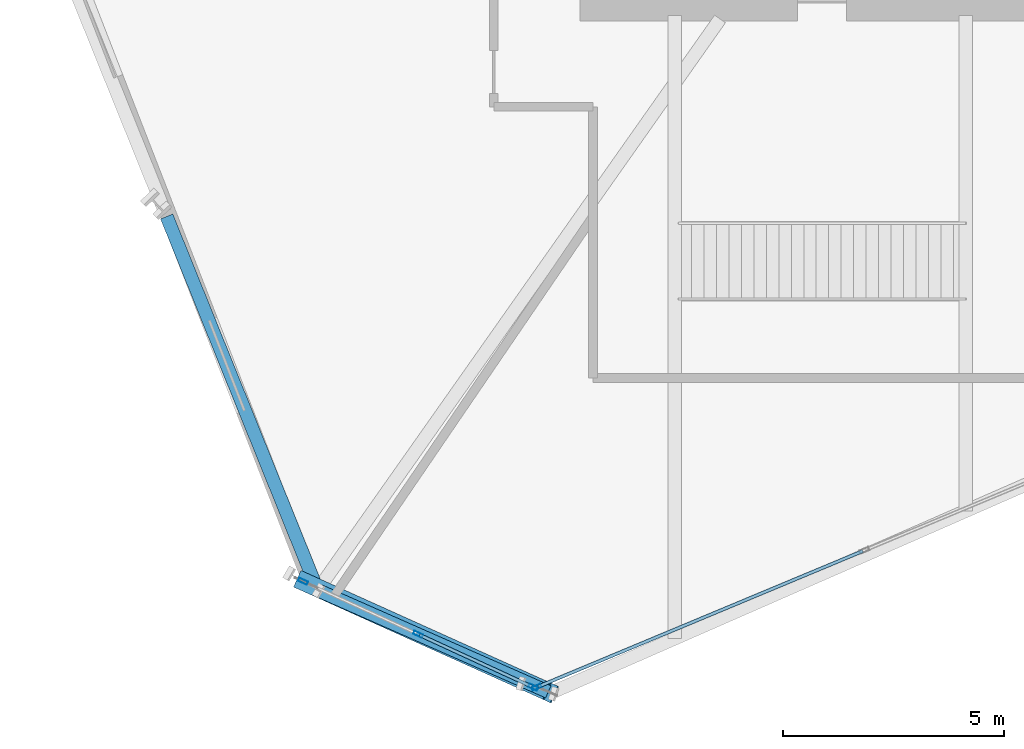
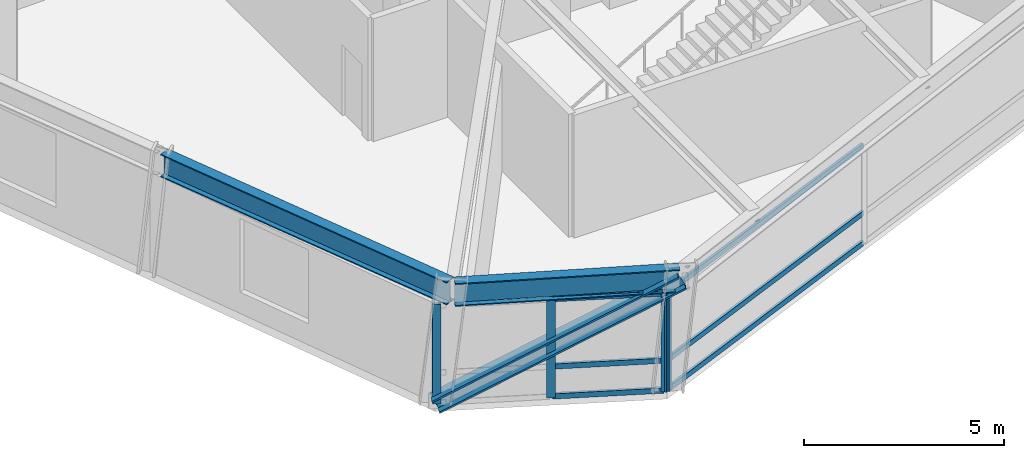
# One storey, part 2 of 19: 11 members, 2 beams, 2 elements without a shape of their own.
"""IFC4 building model written with IfcOpenShell, lengths in metres."""

from ifc_helpers import new_model, si_unit, direction, frame, origin, origin_2d, place, context, subcontext, project, spatial, hollow_rectangle, i_section, extrude, source, transform, mapped, material, material_profile, profile_set, type_object, element, aggregate, save


model = new_model("IFC4")

# Units and contexts
model_context = context("Model", 3, precision=1e-05, world=origin(), true_north=direction((0.0, 1.0)))
body_context = subcontext(model_context, "Body", "Model", "MODEL_VIEW")
ifc_project = project(units=[si_unit("LENGTHUNIT", "METRE"), si_unit("AREAUNIT", "SQUARE_METRE"), si_unit("VOLUMEUNIT", "CUBIC_METRE"), si_unit("PLANEANGLEUNIT", "RADIAN"), si_unit("MASSUNIT", "GRAM", prefix="KILO")], contexts=[model_context])

# Site, building, storey
site_placement = place(None, origin())
site = spatial("IfcSite", under=ifc_project, at=site_placement, CompositionType="ELEMENT")
building_placement = place(site_placement, origin())
building = spatial("IfcBuilding", under=site, at=building_placement, Name="Olszyna Solenne Hotel", CompositionType="ELEMENT")
storey_placement = place(building_placement, frame((0.0, 0.0, 71.89990234375)))
storey = spatial("IfcBuildingStorey", under=building, at=storey_placement, Name="L18", CompositionType="ELEMENT", Elevation=71.89990234375)

# Beams
ifc_material_1 = material(Name="Steel S355J2", Category="steel")
ifc_material_profile_1 = material_profile(ifc_material_1, i_section(OverallWidth=0.300048828125, OverallDepth=0.699951171875, WebThickness=0.01708984375, FlangeThickness=0.031982421875, at=origin_2d()), Name="HEB 700", Category="load-bearing")
ifc_profile_set_1 = profile_set([ifc_material_profile_1], Name="Steel S355J2")
beam_type = type_object("IfcBeamType", Name="BM-S1", PredefinedType="BEAM", material=ifc_profile_set_1)
shared_shape_1 = source(origin(), body_context, "Body", "SweptSolid", [
    extrude(i_section(OverallWidth=0.300048828125, OverallDepth=0.699951171875, WebThickness=0.01708984375, FlangeThickness=0.031982421875, at=origin_2d()), origin(), (0.0, 0.0, 1.0), 9.075439453125),
])
beam_1_placement = place(storey_placement, frame((19.8857421875, 14.213623046875, 3.400146484375), z_axis=(0.374523985821, -0.927217225921, 0.0), x_axis=(0.927217225921, 0.374523985821, 0.0)))
element("IfcBeam", 1, at=beam_1_placement, inside=storey, type_object=beam_type, Name="Perimeter spandrel beam BM-S1 B-L18-0557", PredefinedType="BEAM", context=body_context, shape_type="MappedRepresentation", body=[
    mapped(shared_shape_1, transform((0.0, 0.0, 0.0), x_axis=(1.0, 0.0, 0.0), y_axis=(0.0, 1.0, 0.0), z_axis=(0.0, 0.0, 1.0), scale=1.0)),
])
shared_shape_2 = source(origin(), body_context, "Body", "SweptSolid", [
    extrude(i_section(OverallWidth=0.300048828125, OverallDepth=0.699951171875, WebThickness=0.01708984375, FlangeThickness=0.031982421875, at=origin_2d()), origin(), (0.0, 0.0, 1.0), 5.654052734375),
])
beam_2_placement = place(storey_placement, frame((23.362060546875, 5.718994140625, 3.400146484375), z_axis=(0.914974073012, -0.403512633898, 0.0), x_axis=(0.403512633898, 0.914974073012, 0.0)))
element("IfcBeam", 2, at=beam_2_placement, inside=storey, type_object=beam_type, Name="Perimeter spandrel beam BM-S1 B-L18-0558", PredefinedType="BEAM", context=body_context, shape_type="MappedRepresentation", body=[
    mapped(shared_shape_2, transform((0.0, 0.0, 0.0), x_axis=(1.0, 0.0, 0.0), y_axis=(0.0, 1.0, 0.0), z_axis=(0.0, 0.0, 1.0), scale=1.0)),
])

# Member
ifc_material_2 = material(Name="Steel S460M", Category="steel")
ifc_material_profile_2 = material_profile(ifc_material_2, i_section(OverallWidth=0.412109375, OverallDepth=0.43505859375, WebThickness=0.031494140625, FlangeThickness=0.050048828125, at=origin_2d()), Name="HD 400x463", Category="load-bearing")
ifc_profile_set_2 = profile_set([ifc_material_profile_2], Name="Steel S460M")
member_type_1 = type_object("IfcMemberType", Name="BR-T1", PredefinedType="BRACE", material=ifc_profile_set_2)
shared_shape_3 = source(origin(), body_context, "Body", "SweptSolid", [
    extrude(i_section(OverallWidth=0.412109375, OverallDepth=0.43505859375, WebThickness=0.031494140625, FlangeThickness=0.050048828125, at=origin_2d()), origin(), (0.0, 0.0, 1.0), 7.0478515625),
])
member_1_placement = place(storey_placement, frame((22.939453125, 5.959228515625, 0.010009765625), z_axis=(0.801795866368, -0.361268862453, 0.476033819909), x_axis=(0.41080029747, 0.911725350968, 0.0)))
element("IfcMember", 3, at=member_1_placement, inside=storey, type_object=member_type_1, Name="Perimeter braced-tube diagonal BR-T1 BR-L18-3", PredefinedType="BRACE", context=body_context, shape_type="MappedRepresentation", body=[
    mapped(shared_shape_3, transform((0.0, 0.0, 0.0), x_axis=(1.0, 0.0, 0.0), y_axis=(0.0, 1.0, 0.0), z_axis=(0.0, 0.0, 1.0), scale=1.0)),
])

# Curtain wall, member
ifc_material_3 = material(Name="Anodised bronze aluminium", Category="aluminium")
curtain_wall_type = type_object("IfcCurtainWallType", Name="CW-SYS-6", PredefinedType="NOTDEFINED", material=ifc_material_3)
curtain_wall_1_placement = place(storey_placement, origin())
curtain_wall_1 = element("IfcCurtainWall", 4, at=curtain_wall_1_placement, inside=storey, type_object=curtain_wall_type, Name="Unitised curtain wall CW-SYS-6 CW-L18-01", PredefinedType="NOTDEFINED")
ifc_material_profile_3 = material_profile(ifc_material_3, hollow_rectangle(XDim=0.080078125, YDim=0.219970703125, WallThickness=0.0048828125, at=origin_2d()), Name="MULL 220x80x5", Category="load-bearing")
ifc_profile_set_3 = profile_set([ifc_material_profile_3], Name="Anodised bronze aluminium")
member_type_2 = type_object("IfcMemberType", Name="CW-M1", PredefinedType="MULLION", material=ifc_profile_set_3)
shared_shape_4 = source(origin(), body_context, "Body", "SweptSolid", [
    extrude(hollow_rectangle(XDim=0.080078125, YDim=0.219970703125, WallThickness=0.0048828125, at=origin_2d()), origin(), (0.0, 0.0, 1.0), 3.0419921875),
])
member_2_placement = place(storey_placement, frame((28.268798828125, 3.54052734375, 0.0), z_axis=(0.0, 0.0, 1.0), x_axis=(-0.385295684368, 0.922793170547, 0.0)))
member_2 = element("IfcMember", 5, at=member_2_placement, type_object=member_type_2, Name="Curtain-wall mullion CW-M1 CM-L18-01-01", PredefinedType="MULLION", context=body_context, shape_type="MappedRepresentation", body=[
    mapped(shared_shape_4, transform((0.0, 0.0, 0.0), x_axis=(1.0, 0.0, 0.0), y_axis=(0.0, 1.0, 0.0), z_axis=(0.0, 0.0, 1.0), scale=1.0)),
])

# Curtain wall, members
curtain_wall_2_placement = place(storey_placement, origin())
curtain_wall_2 = element("IfcCurtainWall", 6, at=curtain_wall_2_placement, inside=storey, type_object=curtain_wall_type, Name="Unitised curtain wall CW-SYS-6 CW-L18-02", PredefinedType="NOTDEFINED")
member_3_placement = place(storey_placement, frame((22.975830078125, 5.942626953125, 0.0), z_axis=(0.0, 0.0, 1.0), x_axis=(0.417848367039, 0.908516781443, 0.0)))
member_3 = element("IfcMember", 7, at=member_3_placement, type_object=member_type_2, Name="Curtain-wall mullion CW-M1 CM-L18-02-01", PredefinedType="MULLION", context=body_context, shape_type="MappedRepresentation", body=[
    mapped(shared_shape_4, transform((0.0, 0.0, 0.0), x_axis=(1.0, 0.0, 0.0), y_axis=(0.0, 1.0, 0.0), z_axis=(0.0, 0.0, 1.0), scale=1.0)),
])
member_4_placement = place(storey_placement, frame((25.585693359375, 4.7421875, 0.0), z_axis=(0.0, 0.0, 1.0), x_axis=(0.417848367039, 0.908516781443, 0.0)))
member_4 = element("IfcMember", 8, at=member_4_placement, type_object=member_type_2, Name="Curtain-wall mullion CW-M1 CM-L18-02-02", PredefinedType="MULLION", context=body_context, shape_type="MappedRepresentation", body=[
    mapped(shared_shape_4, transform((0.0, 0.0, 0.0), x_axis=(1.0, 0.0, 0.0), y_axis=(0.0, 1.0, 0.0), z_axis=(0.0, 0.0, 1.0), scale=1.0)),
])
member_5_placement = place(storey_placement, frame((28.195556640625, 3.5419921875, 0.0), z_axis=(0.0, 0.0, 1.0), x_axis=(0.417848367039, 0.908516781443, 0.0)))
member_5 = element("IfcMember", 9, at=member_5_placement, type_object=member_type_2, Name="Curtain-wall mullion CW-M1 CM-L18-02-03", PredefinedType="MULLION", context=body_context, shape_type="MappedRepresentation", body=[
    mapped(shared_shape_4, transform((0.0, 0.0, 0.0), x_axis=(1.0, 0.0, 0.0), y_axis=(0.0, 1.0, 0.0), z_axis=(0.0, 0.0, 1.0), scale=1.0)),
])

# Member
ifc_material_profile_4 = material_profile(ifc_material_3, hollow_rectangle(XDim=0.074951171875, YDim=0.159912109375, WallThickness=0.00390625, at=origin_2d()), Name="TRAN 160x75x4", Category="load-bearing")
ifc_profile_set_4 = profile_set([ifc_material_profile_4], Name="Anodised bronze aluminium")
member_type_3 = type_object("IfcMemberType", Name="CW-T1", PredefinedType="USERDEFINED", material=ifc_profile_set_4)
shared_shape_5 = source(origin(), body_context, "Body", "SweptSolid", [
    extrude(hollow_rectangle(XDim=0.074951171875, YDim=0.159912109375, WallThickness=0.00390625, at=origin_2d()), origin(), (0.0, 0.0, 1.0), 7.974609375),
])
member_6_placement = place(storey_placement, frame((28.3056640625, 3.555908203125, 0.03759765625), z_axis=(0.922785003887, 0.385315243147, 0.0), x_axis=(-0.385315243147, 0.922785003887, 0.0)))
member_6 = element("IfcMember", 10, at=member_6_placement, type_object=member_type_3, Name="Curtain-wall transom CW-T1 CT-L18-01-01", ObjectType="TRANSOM", PredefinedType="USERDEFINED", context=body_context, shape_type="MappedRepresentation", body=[
    mapped(shared_shape_5, transform((0.0, 0.0, 0.0), x_axis=(1.0, 0.0, 0.0), y_axis=(0.0, 1.0, 0.0), z_axis=(0.0, 0.0, 1.0), scale=1.0)),
])

member_7_placement = place(storey_placement, frame((28.3056640625, 3.555908203125, 0.9501953125), z_axis=(0.922785003887, 0.385315243147, 0.0), x_axis=(-0.385315243147, 0.922785003887, 0.0)))
member_7 = element("IfcMember", 11, at=member_7_placement, type_object=member_type_3, Name="Curtain-wall transom CW-T1 CT-L18-01-02", ObjectType="TRANSOM", PredefinedType="USERDEFINED", context=body_context, shape_type="MappedRepresentation", body=[
    mapped(shared_shape_5, transform((0.0, 0.0, 0.0), x_axis=(1.0, 0.0, 0.0), y_axis=(0.0, 1.0, 0.0), z_axis=(0.0, 0.0, 1.0), scale=1.0)),
])

member_8_placement = place(storey_placement, frame((28.3056640625, 3.555908203125, 3.004638671875), z_axis=(0.922785003887, 0.385315243147, 0.0), x_axis=(-0.385315243147, 0.922785003887, 0.0)))
member_8 = element("IfcMember", 12, at=member_8_placement, type_object=member_type_3, Name="Curtain-wall transom CW-T1 CT-L18-01-03", ObjectType="TRANSOM", PredefinedType="USERDEFINED", context=body_context, shape_type="MappedRepresentation", body=[
    mapped(shared_shape_5, transform((0.0, 0.0, 0.0), x_axis=(1.0, 0.0, 0.0), y_axis=(0.0, 1.0, 0.0), z_axis=(0.0, 0.0, 1.0), scale=1.0)),
])

aggregate(curtain_wall_1, [member_2, member_6, member_7, member_8])

shared_shape_6 = source(origin(), body_context, "Body", "SweptSolid", [
    extrude(hollow_rectangle(XDim=0.074951171875, YDim=0.159912109375, WallThickness=0.00390625, at=origin_2d()), origin(), (0.0, 0.0, 1.0), 2.79296875),
])
member_9_placement = place(storey_placement, frame((25.621826171875, 4.7255859375, 0.03759765625), z_axis=(0.90851633813, -0.417849330921, 0.0), x_axis=(0.417849330921, 0.90851633813, 0.0)))
member_9 = element("IfcMember", 13, at=member_9_placement, type_object=member_type_3, Name="Curtain-wall transom CW-T1 CT-L18-02-04", ObjectType="TRANSOM", PredefinedType="USERDEFINED", context=body_context, shape_type="MappedRepresentation", body=[
    mapped(shared_shape_6, transform((0.0, 0.0, 0.0), x_axis=(1.0, 0.0, 0.0), y_axis=(0.0, 1.0, 0.0), z_axis=(0.0, 0.0, 1.0), scale=1.0)),
])

member_10_placement = place(storey_placement, frame((25.621826171875, 4.7255859375, 0.9501953125), z_axis=(0.90851633813, -0.417849330921, 0.0), x_axis=(0.417849330921, 0.90851633813, 0.0)))
member_10 = element("IfcMember", 14, at=member_10_placement, type_object=member_type_3, Name="Curtain-wall transom CW-T1 CT-L18-02-05", ObjectType="TRANSOM", PredefinedType="USERDEFINED", context=body_context, shape_type="MappedRepresentation", body=[
    mapped(shared_shape_6, transform((0.0, 0.0, 0.0), x_axis=(1.0, 0.0, 0.0), y_axis=(0.0, 1.0, 0.0), z_axis=(0.0, 0.0, 1.0), scale=1.0)),
])

member_11_placement = place(storey_placement, frame((25.621826171875, 4.7255859375, 3.004638671875), z_axis=(0.90851633813, -0.417849330921, 0.0), x_axis=(0.417849330921, 0.90851633813, 0.0)))
member_11 = element("IfcMember", 15, at=member_11_placement, type_object=member_type_3, Name="Curtain-wall transom CW-T1 CT-L18-02-06", ObjectType="TRANSOM", PredefinedType="USERDEFINED", context=body_context, shape_type="MappedRepresentation", body=[
    mapped(shared_shape_6, transform((0.0, 0.0, 0.0), x_axis=(1.0, 0.0, 0.0), y_axis=(0.0, 1.0, 0.0), z_axis=(0.0, 0.0, 1.0), scale=1.0)),
])

aggregate(curtain_wall_2, [member_3, member_4, member_5, member_9, member_10, member_11])

save(model, "model.ifc")
